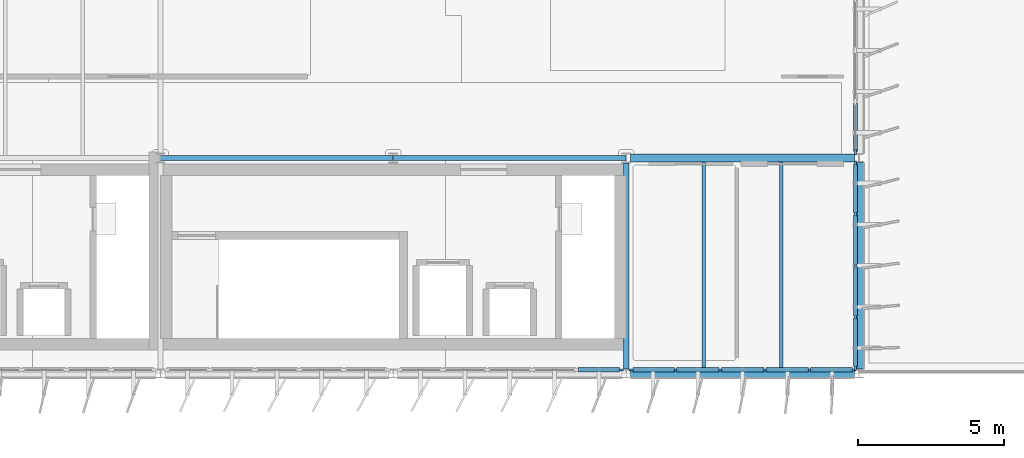
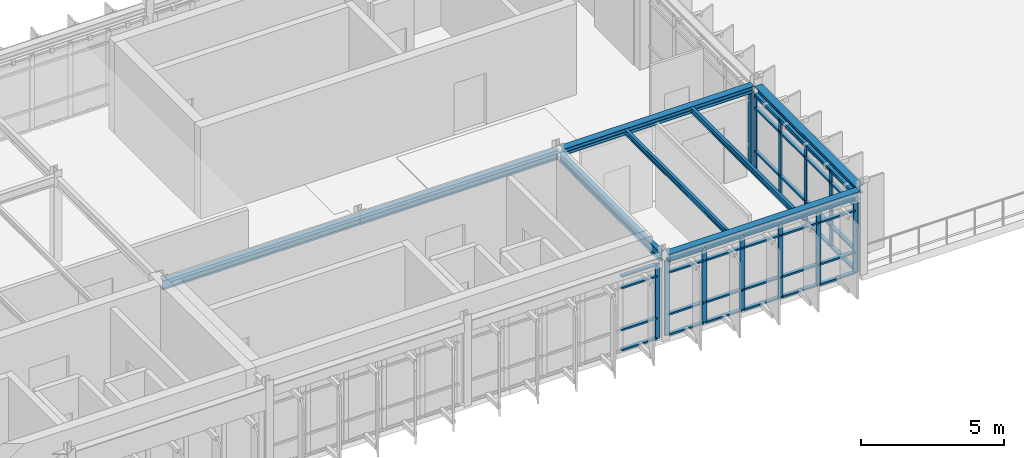
# One storey, part 8 of 20: 54 members, 8 beams, 4 elements without a shape of their own.
"""IFC4 building model written with IfcOpenShell, lengths in metres."""

from ifc_helpers import new_model, si_unit, direction, frame, origin, origin_2d, place, context, subcontext, project, spatial, rectangle, i_section, extrude, material, layer, layer_set, material_profile, profile_set, type_object, element, aggregate, save


model = new_model("IFC4")

# Units and contexts
model_context = context("Model", 3, precision=1e-05, world=origin(), true_north=direction((0.0, 1.0)))
body_context = subcontext(model_context, "Body", "Model", "MODEL_VIEW")
ifc_project = project(units=[si_unit("LENGTHUNIT", "METRE"), si_unit("AREAUNIT", "SQUARE_METRE"), si_unit("VOLUMEUNIT", "CUBIC_METRE"), si_unit("PLANEANGLEUNIT", "RADIAN"), si_unit("MASSUNIT", "GRAM", prefix="KILO")], contexts=[model_context])

# Site, building, storey
site_placement = place(None, origin())
site = spatial("IfcSite", under=ifc_project, at=site_placement, CompositionType="ELEMENT")
building_placement = place(site_placement, origin())
building = spatial("IfcBuilding", under=site, at=building_placement, Name="Valkorina Park Police Headquarters", CompositionType="ELEMENT")
storey_placement = place(building_placement, frame((0.0, 0.0, 31.10009765625)))
storey = spatial("IfcBuildingStorey", under=building, at=storey_placement, Name="L08", CompositionType="ELEMENT", Elevation=31.10009765625)

# Beams
ifc_material_1 = material(Name="Steel S355", Category="steel")
ifc_material_profile_1 = material_profile(ifc_material_1, i_section(OverallWidth=0.280029296875, OverallDepth=0.27001953125, WebThickness=0.008056640625, FlangeThickness=0.012939453125, FilletRadius=0.02392578125, at=origin_2d()), Name="HEA 280")
ifc_profile_set_1 = profile_set([ifc_material_profile_1], Name="Steel S355")
beam_type_1 = type_object("IfcBeamType", Name="BM-S355-HEA280-LNT", PredefinedType="LINTEL", material=ifc_profile_set_1)
beam_1_placement = place(storey_placement, frame((48.949951171875, 44.39990234375, 3.48486328125), z_axis=(1.0, 0.0, 0.0), x_axis=(0.0, 1.0, 0.0)))
element("IfcBeam", 1, at=beam_1_placement, inside=storey, type_object=beam_type_1, Name="L08 Framing Beam 2806", PredefinedType="LINTEL", context=body_context, shape_type="SweptSolid", body=[
    extrude(i_section(OverallWidth=0.280029296875, OverallDepth=0.27001953125, WebThickness=0.008056640625, FlangeThickness=0.012939453125, FilletRadius=0.02392578125, at=origin_2d()), origin(), (0.0, 0.0, 1.0), 7.699951171875),
])
ifc_material_profile_2 = material_profile(ifc_material_1, i_section(OverallWidth=0.300048828125, OverallDepth=0.330078125, WebThickness=0.009521484375, FlangeThickness=0.0166015625, FilletRadius=0.027099609375, at=origin_2d()), Name="HEA 340")
ifc_profile_set_2 = profile_set([ifc_material_profile_2], Name="Steel S355")
beam_type_2 = type_object("IfcBeamType", Name="BM-S355-HEA340-SPN", PredefinedType="SPANDREL", material=ifc_profile_set_2)
beam_2_placement = place(storey_placement, frame((48.949951171875, 37.0, 3.454833984375), z_axis=(1.0, 0.0, 0.0), x_axis=(0.0, 1.0, 0.0)))
element("IfcBeam", 2, at=beam_2_placement, inside=storey, type_object=beam_type_2, Name="L08 Framing Beam 2799", PredefinedType="SPANDREL", context=body_context, shape_type="SweptSolid", body=[
    extrude(i_section(OverallWidth=0.300048828125, OverallDepth=0.330078125, WebThickness=0.009521484375, FlangeThickness=0.0166015625, FilletRadius=0.027099609375, at=origin_2d()), origin(), (0.0, 0.0, 1.0), 7.699951171875),
])
beam_3_placement = place(storey_placement, frame((56.800048828125, 37.14990234375, 3.454833984375), z_axis=(0.0, 1.0, 0.0), x_axis=(-1.0, 0.0, 0.0)))
element("IfcBeam", 3, at=beam_3_placement, inside=storey, type_object=beam_type_2, Name="L08 Framing Beam 2855", PredefinedType="SPANDREL", context=body_context, shape_type="SweptSolid", body=[
    extrude(i_section(OverallWidth=0.300048828125, OverallDepth=0.330078125, WebThickness=0.009521484375, FlangeThickness=0.0166015625, FilletRadius=0.027099609375, at=origin_2d()), origin(), (0.0, 0.0, 1.0), 7.10009765625),
])
ifc_material_profile_3 = material_profile(ifc_material_1, i_section(OverallWidth=0.1201171875, OverallDepth=0.239990234375, WebThickness=0.006103515625, FlangeThickness=0.009765625, FilletRadius=0.014892578125, at=origin_2d()), Name="IPE 240")
ifc_profile_set_3 = profile_set([ifc_material_profile_3], Name="Steel S355")
beam_type_3 = type_object("IfcBeamType", Name="BM-S355-IPE240-JST", PredefinedType="JOIST", material=ifc_profile_set_3)
for number, where, z_axis, x_axis, name in (
    (4, (51.466796875, 37.14990234375, 3.5), (0.0, 1.0, 0.0), (-1.0, 0.0, 0.0), "L08 Framing Beam 2853"),
    (5, (54.13330078125, 37.14990234375, 3.5), (0.0, 1.0, 0.0), (-1.0, 0.0, 0.0), "L08 Framing Beam 2854"),
):
    element("IfcBeam", number, at=place(storey_placement, frame(where, z_axis=z_axis, x_axis=x_axis)), inside=storey, type_object=beam_type_3, Name=name, PredefinedType="JOIST", context=body_context, shape_type="SweptSolid", body=[
        extrude(i_section(OverallWidth=0.1201171875, OverallDepth=0.239990234375, WebThickness=0.006103515625, FlangeThickness=0.009765625, FilletRadius=0.014892578125, at=origin_2d()), origin(), (0.0, 0.0, 1.0), 7.110107421875),
    ])
ifc_material_profile_4 = material_profile(ifc_material_1, i_section(OverallWidth=0.179931640625, OverallDepth=0.39990234375, WebThickness=0.008544921875, FlangeThickness=0.013427734375, FilletRadius=0.02099609375, at=origin_2d()), Name="IPE 400")
ifc_profile_set_4 = profile_set([ifc_material_profile_4], Name="Steel S355")
beam_type_4 = type_object("IfcBeamType", Name="BM-S355-IPE400-BM", PredefinedType="BEAM", material=ifc_profile_set_4)
for number, where, z_axis, x_axis, name in (
    (6, (32.8046875, 44.39990234375, 3.419921875), (1.0, 0.0, 0.0), (0.0, 1.0, 0.0), "L08 Framing Beam 2804"),
    (7, (40.8046875, 44.39990234375, 3.419921875), (1.0, 0.0, 0.0), (0.0, 1.0, 0.0), "L08 Framing Beam 2805"),
):
    element("IfcBeam", number, at=place(storey_placement, frame(where, z_axis=z_axis, x_axis=x_axis)), inside=storey, type_object=beam_type_4, Name=name, PredefinedType="BEAM", context=body_context, shape_type="SweptSolid", body=[
        extrude(i_section(OverallWidth=0.179931640625, OverallDepth=0.39990234375, WebThickness=0.008544921875, FlangeThickness=0.013427734375, FilletRadius=0.02099609375, at=origin_2d()), origin(), (0.0, 0.0, 1.0), 7.99072265625),
    ])
beam_4_placement = place(storey_placement, frame((48.800048828125, 37.14990234375, 3.419921875), z_axis=(0.0, 1.0, 0.0), x_axis=(-1.0, 0.0, 0.0)))
element("IfcBeam", 8, at=beam_4_placement, inside=storey, type_object=beam_type_4, Name="L08 Framing Beam 2852", PredefinedType="BEAM", context=body_context, shape_type="SweptSolid", body=[
    extrude(i_section(OverallWidth=0.179931640625, OverallDepth=0.39990234375, WebThickness=0.008544921875, FlangeThickness=0.013427734375, FilletRadius=0.02099609375, at=origin_2d()), origin(), (0.0, 0.0, 1.0), 7.085205078125),
])

# Curtain wall, members
ifc_material_2 = material(Name="Thermally broken aluminium AW-6060", Category="aluminium")
ifc_layer_1 = layer(ifc_material_2, 0.18994140625)
ifc_layer_set_1 = layer_set([ifc_layer_1], Name="Thermally broken aluminium AW-6060")
curtain_wall_type_1 = type_object("IfcCurtainWallType", Name="CW-V5-7680x3210", PredefinedType="NOTDEFINED", material=ifc_layer_set_1)
curtain_wall_1_placement = place(storey_placement, origin())
curtain_wall_1 = element("IfcCurtainWall", 9, at=curtain_wall_1_placement, inside=storey, type_object=curtain_wall_type_1, Name="L08 Unitised Curtain Wall 156", PredefinedType="NOTDEFINED")
ifc_material_profile_5 = material_profile(ifc_material_2, rectangle(XDim=0.070068359375, YDim=0.18994140625, at=origin_2d()), Name="CWM-02 70x190")
ifc_profile_set_5 = profile_set([ifc_material_profile_5], Name="Thermally broken aluminium AW-6060")
member_type_1 = type_object("IfcMemberType", Name="CWM-70x190", PredefinedType="MULLION", material=ifc_profile_set_5)
member_1_placement = place(storey_placement, frame((56.60498046875, 37.1201171875, 0.0), z_axis=(0.0, 0.0, 1.0), x_axis=(0.0, -1.0, 0.0)))
member_1 = element("IfcMember", 10, at=member_1_placement, type_object=member_type_1, Name="CW-V5-768-321 mullion 1", PredefinedType="MULLION", context=body_context, shape_type="SweptSolid", body=[
    extrude(rectangle(XDim=0.070068359375, YDim=0.18994140625, at=origin_2d()), origin(), (0.0, 0.0, 1.0), 3.2099609375),
])
member_2_placement = place(storey_placement, frame((55.10400390625, 37.1201171875, 0.0), z_axis=(0.0, 0.0, 1.0), x_axis=(0.0, -1.0, 0.0)))
member_2 = element("IfcMember", 11, at=member_2_placement, type_object=member_type_1, Name="CW-V5-768-321 mullion 2", PredefinedType="MULLION", context=body_context, shape_type="SweptSolid", body=[
    extrude(rectangle(XDim=0.070068359375, YDim=0.18994140625, at=origin_2d()), origin(), (0.0, 0.0, 1.0), 3.2099609375),
])
member_3_placement = place(storey_placement, frame((53.568115234375, 37.1201171875, 0.0), z_axis=(0.0, 0.0, 1.0), x_axis=(0.0, -1.0, 0.0)))
member_3 = element("IfcMember", 12, at=member_3_placement, type_object=member_type_1, Name="CW-V5-768-321 mullion 3", PredefinedType="MULLION", context=body_context, shape_type="SweptSolid", body=[
    extrude(rectangle(XDim=0.070068359375, YDim=0.18994140625, at=origin_2d()), origin(), (0.0, 0.0, 1.0), 3.2099609375),
])
member_4_placement = place(storey_placement, frame((52.031982421875, 37.1201171875, 0.0), z_axis=(0.0, 0.0, 1.0), x_axis=(0.0, -1.0, 0.0)))
member_4 = element("IfcMember", 13, at=member_4_placement, type_object=member_type_1, Name="CW-V5-768-321 mullion 4", PredefinedType="MULLION", context=body_context, shape_type="SweptSolid", body=[
    extrude(rectangle(XDim=0.070068359375, YDim=0.18994140625, at=origin_2d()), origin(), (0.0, 0.0, 1.0), 3.2099609375),
])
member_5_placement = place(storey_placement, frame((50.49609375, 37.1201171875, 0.0), z_axis=(0.0, 0.0, 1.0), x_axis=(0.0, -1.0, 0.0)))
member_5 = element("IfcMember", 14, at=member_5_placement, type_object=member_type_1, Name="CW-V5-768-321 mullion 5", PredefinedType="MULLION", context=body_context, shape_type="SweptSolid", body=[
    extrude(rectangle(XDim=0.070068359375, YDim=0.18994140625, at=origin_2d()), origin(), (0.0, 0.0, 1.0), 3.2099609375),
])
member_6_placement = place(storey_placement, frame((48.9951171875, 37.1201171875, 0.0), z_axis=(0.0, 0.0, 1.0), x_axis=(0.0, -1.0, 0.0)))
member_6 = element("IfcMember", 15, at=member_6_placement, type_object=member_type_1, Name="CW-V5-768-321 mullion 6", PredefinedType="MULLION", context=body_context, shape_type="SweptSolid", body=[
    extrude(rectangle(XDim=0.070068359375, YDim=0.18994140625, at=origin_2d()), origin(), (0.0, 0.0, 1.0), 3.2099609375),
])

# Curtain wall, member
curtain_wall_2_placement = place(storey_placement, origin())
curtain_wall_2 = element("IfcCurtainWall", 16, at=curtain_wall_2_placement, inside=storey, type_object=curtain_wall_type_1, Name="L08 Unitised Curtain Wall 157", PredefinedType="NOTDEFINED")
member_7_placement = place(storey_placement, frame((48.60498046875, 37.1201171875, 0.0), z_axis=(0.0, 0.0, 1.0), x_axis=(0.0, -1.0, 0.0)))
member_7 = element("IfcMember", 17, at=member_7_placement, type_object=member_type_1, Name="CW-V5-768-321 mullion 1", PredefinedType="MULLION", context=body_context, shape_type="SweptSolid", body=[
    extrude(rectangle(XDim=0.070068359375, YDim=0.18994140625, at=origin_2d()), origin(), (0.0, 0.0, 1.0), 3.2099609375),
])

ifc_layer_2 = layer(ifc_material_2, 0.18994140625)
ifc_layer_set_2 = layer_set([ifc_layer_2], Name="Thermally broken aluminium AW-6060")
curtain_wall_type_2 = type_object("IfcCurtainWallType", Name="CW-V5-7080x3280", PredefinedType="NOTDEFINED", material=ifc_layer_set_2)
curtain_wall_3_placement = place(storey_placement, origin())
curtain_wall_3 = element("IfcCurtainWall", 18, at=curtain_wall_3_placement, inside=storey, type_object=curtain_wall_type_2, Name="L08 Unitised Curtain Wall 173", PredefinedType="NOTDEFINED")
member_8_placement = place(storey_placement, frame((56.679931640625, 44.594970703125, 0.0), z_axis=(0.0, 0.0, 1.0), x_axis=(1.0, 0.0, 0.0)))
member_8 = element("IfcMember", 19, at=member_8_placement, type_object=member_type_1, Name="CW-V5-708-328 mullion 5", PredefinedType="MULLION", context=body_context, shape_type="SweptSolid", body=[
    extrude(rectangle(XDim=0.070068359375, YDim=0.18994140625, at=origin_2d()), origin(), (0.0, 0.0, 1.0), 3.27978515625),
])

# Curtain wall, members
curtain_wall_4_placement = place(storey_placement, origin())
curtain_wall_4 = element("IfcCurtainWall", 20, at=curtain_wall_4_placement, inside=storey, type_object=curtain_wall_type_2, Name="L08 Unitised Curtain Wall 174", PredefinedType="NOTDEFINED")
member_9_placement = place(storey_placement, frame((56.679931640625, 44.205078125, 0.0), z_axis=(0.0, 0.0, 1.0), x_axis=(1.0, 0.0, 0.0)))
member_9 = element("IfcMember", 21, at=member_9_placement, type_object=member_type_1, Name="CW-V5-708-328 mullion 1", PredefinedType="MULLION", context=body_context, shape_type="SweptSolid", body=[
    extrude(rectangle(XDim=0.070068359375, YDim=0.18994140625, at=origin_2d()), origin(), (0.0, 0.0, 1.0), 3.27978515625),
])
member_10_placement = place(storey_placement, frame((56.679931640625, 42.469970703125, 0.0), z_axis=(0.0, 0.0, 1.0), x_axis=(1.0, 0.0, 0.0)))
member_10 = element("IfcMember", 22, at=member_10_placement, type_object=member_type_1, Name="CW-V5-708-328 mullion 2", PredefinedType="MULLION", context=body_context, shape_type="SweptSolid", body=[
    extrude(rectangle(XDim=0.070068359375, YDim=0.18994140625, at=origin_2d()), origin(), (0.0, 0.0, 1.0), 3.27978515625),
])
member_11_placement = place(storey_placement, frame((56.679931640625, 40.699951171875, 0.0), z_axis=(0.0, 0.0, 1.0), x_axis=(1.0, 0.0, 0.0)))
member_11 = element("IfcMember", 23, at=member_11_placement, type_object=member_type_1, Name="CW-V5-708-328 mullion 3", PredefinedType="MULLION", context=body_context, shape_type="SweptSolid", body=[
    extrude(rectangle(XDim=0.070068359375, YDim=0.18994140625, at=origin_2d()), origin(), (0.0, 0.0, 1.0), 3.27978515625),
])
member_12_placement = place(storey_placement, frame((56.679931640625, 38.929931640625, 0.0), z_axis=(0.0, 0.0, 1.0), x_axis=(1.0, 0.0, 0.0)))
member_12 = element("IfcMember", 24, at=member_12_placement, type_object=member_type_1, Name="CW-V5-708-328 mullion 4", PredefinedType="MULLION", context=body_context, shape_type="SweptSolid", body=[
    extrude(rectangle(XDim=0.070068359375, YDim=0.18994140625, at=origin_2d()), origin(), (0.0, 0.0, 1.0), 3.27978515625),
])
member_13_placement = place(storey_placement, frame((56.679931640625, 37.195068359375, 0.0), z_axis=(0.0, 0.0, 1.0), x_axis=(1.0, 0.0, 0.0)))
member_13 = element("IfcMember", 25, at=member_13_placement, type_object=member_type_1, Name="CW-V5-708-328 mullion 5", PredefinedType="MULLION", context=body_context, shape_type="SweptSolid", body=[
    extrude(rectangle(XDim=0.070068359375, YDim=0.18994140625, at=origin_2d()), origin(), (0.0, 0.0, 1.0), 3.27978515625),
])

# Member
ifc_material_profile_6 = material_profile(ifc_material_2, rectangle(XDim=0.14990234375, YDim=0.070068359375, at=origin_2d()), Name="CWT-02 150x70")
ifc_profile_set_6 = profile_set([ifc_material_profile_6], Name="Thermally broken aluminium AW-6060")
member_type_2 = type_object("IfcMemberType", Name="CWT-150x70", PredefinedType="USERDEFINED", material=ifc_profile_set_6)
member_14_placement = place(storey_placement, frame((56.570068359375, 37.1201171875, 0.034912109375), z_axis=(-1.0, 0.0, 0.0), x_axis=(0.0, -1.0, 0.0)))
member_14 = element("IfcMember", 26, at=member_14_placement, type_object=member_type_2, Name="CW-V5-768-321 transom 1.1", ObjectType="TRANSOM", PredefinedType="USERDEFINED", context=body_context, shape_type="SweptSolid", body=[
    extrude(rectangle(XDim=0.14990234375, YDim=0.070068359375, at=origin_2d()), origin(), (0.0, 0.0, 1.0), 1.43115234375),
])

member_15_placement = place(storey_placement, frame((56.570068359375, 37.1201171875, 0.89990234375), z_axis=(-1.0, 0.0, 0.0), x_axis=(0.0, -1.0, 0.0)))
member_15 = element("IfcMember", 27, at=member_15_placement, type_object=member_type_2, Name="CW-V5-768-321 transom 1.2", ObjectType="TRANSOM", PredefinedType="USERDEFINED", context=body_context, shape_type="SweptSolid", body=[
    extrude(rectangle(XDim=0.14990234375, YDim=0.070068359375, at=origin_2d()), origin(), (0.0, 0.0, 1.0), 1.43115234375),
])

member_16_placement = place(storey_placement, frame((56.570068359375, 37.1201171875, 2.68994140625), z_axis=(-1.0, 0.0, 0.0), x_axis=(0.0, -1.0, 0.0)))
member_16 = element("IfcMember", 28, at=member_16_placement, type_object=member_type_2, Name="CW-V5-768-321 transom 1.3", ObjectType="TRANSOM", PredefinedType="USERDEFINED", context=body_context, shape_type="SweptSolid", body=[
    extrude(rectangle(XDim=0.14990234375, YDim=0.070068359375, at=origin_2d()), origin(), (0.0, 0.0, 1.0), 1.43115234375),
])

member_17_placement = place(storey_placement, frame((56.570068359375, 37.1201171875, 3.1748046875), z_axis=(-1.0, 0.0, 0.0), x_axis=(0.0, -1.0, 0.0)))
member_17 = element("IfcMember", 29, at=member_17_placement, type_object=member_type_2, Name="CW-V5-768-321 transom 1.4", ObjectType="TRANSOM", PredefinedType="USERDEFINED", context=body_context, shape_type="SweptSolid", body=[
    extrude(rectangle(XDim=0.14990234375, YDim=0.070068359375, at=origin_2d()), origin(), (0.0, 0.0, 1.0), 1.43115234375),
])

member_18_placement = place(storey_placement, frame((55.069091796875, 37.1201171875, 0.034912109375), z_axis=(-1.0, 0.0, 0.0), x_axis=(0.0, -1.0, 0.0)))
member_18 = element("IfcMember", 30, at=member_18_placement, type_object=member_type_2, Name="CW-V5-768-321 transom 2.1", ObjectType="TRANSOM", PredefinedType="USERDEFINED", context=body_context, shape_type="SweptSolid", body=[
    extrude(rectangle(XDim=0.14990234375, YDim=0.070068359375, at=origin_2d()), origin(), (0.0, 0.0, 1.0), 1.466064453125),
])

member_19_placement = place(storey_placement, frame((55.069091796875, 37.1201171875, 0.89990234375), z_axis=(-1.0, 0.0, 0.0), x_axis=(0.0, -1.0, 0.0)))
member_19 = element("IfcMember", 31, at=member_19_placement, type_object=member_type_2, Name="CW-V5-768-321 transom 2.2", ObjectType="TRANSOM", PredefinedType="USERDEFINED", context=body_context, shape_type="SweptSolid", body=[
    extrude(rectangle(XDim=0.14990234375, YDim=0.070068359375, at=origin_2d()), origin(), (0.0, 0.0, 1.0), 1.466064453125),
])

member_20_placement = place(storey_placement, frame((55.069091796875, 37.1201171875, 2.68994140625), z_axis=(-1.0, 0.0, 0.0), x_axis=(0.0, -1.0, 0.0)))
member_20 = element("IfcMember", 32, at=member_20_placement, type_object=member_type_2, Name="CW-V5-768-321 transom 2.3", ObjectType="TRANSOM", PredefinedType="USERDEFINED", context=body_context, shape_type="SweptSolid", body=[
    extrude(rectangle(XDim=0.14990234375, YDim=0.070068359375, at=origin_2d()), origin(), (0.0, 0.0, 1.0), 1.466064453125),
])

member_21_placement = place(storey_placement, frame((55.069091796875, 37.1201171875, 3.1748046875), z_axis=(-1.0, 0.0, 0.0), x_axis=(0.0, -1.0, 0.0)))
member_21 = element("IfcMember", 33, at=member_21_placement, type_object=member_type_2, Name="CW-V5-768-321 transom 2.4", ObjectType="TRANSOM", PredefinedType="USERDEFINED", context=body_context, shape_type="SweptSolid", body=[
    extrude(rectangle(XDim=0.14990234375, YDim=0.070068359375, at=origin_2d()), origin(), (0.0, 0.0, 1.0), 1.466064453125),
])

member_22_placement = place(storey_placement, frame((53.532958984375, 37.1201171875, 0.034912109375), z_axis=(-1.0, 0.0, 0.0), x_axis=(0.0, -1.0, 0.0)))
member_22 = element("IfcMember", 34, at=member_22_placement, type_object=member_type_2, Name="CW-V5-768-321 transom 3.1", ObjectType="TRANSOM", PredefinedType="USERDEFINED", context=body_context, shape_type="SweptSolid", body=[
    extrude(rectangle(XDim=0.14990234375, YDim=0.070068359375, at=origin_2d()), origin(), (0.0, 0.0, 1.0), 1.466064453125),
])

member_23_placement = place(storey_placement, frame((53.532958984375, 37.1201171875, 0.89990234375), z_axis=(-1.0, 0.0, 0.0), x_axis=(0.0, -1.0, 0.0)))
member_23 = element("IfcMember", 35, at=member_23_placement, type_object=member_type_2, Name="CW-V5-768-321 transom 3.2", ObjectType="TRANSOM", PredefinedType="USERDEFINED", context=body_context, shape_type="SweptSolid", body=[
    extrude(rectangle(XDim=0.14990234375, YDim=0.070068359375, at=origin_2d()), origin(), (0.0, 0.0, 1.0), 1.466064453125),
])

member_24_placement = place(storey_placement, frame((53.532958984375, 37.1201171875, 2.68994140625), z_axis=(-1.0, 0.0, 0.0), x_axis=(0.0, -1.0, 0.0)))
member_24 = element("IfcMember", 36, at=member_24_placement, type_object=member_type_2, Name="CW-V5-768-321 transom 3.3", ObjectType="TRANSOM", PredefinedType="USERDEFINED", context=body_context, shape_type="SweptSolid", body=[
    extrude(rectangle(XDim=0.14990234375, YDim=0.070068359375, at=origin_2d()), origin(), (0.0, 0.0, 1.0), 1.466064453125),
])

member_25_placement = place(storey_placement, frame((53.532958984375, 37.1201171875, 3.1748046875), z_axis=(-1.0, 0.0, 0.0), x_axis=(0.0, -1.0, 0.0)))
member_25 = element("IfcMember", 37, at=member_25_placement, type_object=member_type_2, Name="CW-V5-768-321 transom 3.4", ObjectType="TRANSOM", PredefinedType="USERDEFINED", context=body_context, shape_type="SweptSolid", body=[
    extrude(rectangle(XDim=0.14990234375, YDim=0.070068359375, at=origin_2d()), origin(), (0.0, 0.0, 1.0), 1.466064453125),
])

member_26_placement = place(storey_placement, frame((51.9970703125, 37.1201171875, 0.034912109375), z_axis=(-1.0, 0.0, 0.0), x_axis=(0.0, -1.0, 0.0)))
member_26 = element("IfcMember", 38, at=member_26_placement, type_object=member_type_2, Name="CW-V5-768-321 transom 4.1", ObjectType="TRANSOM", PredefinedType="USERDEFINED", context=body_context, shape_type="SweptSolid", body=[
    extrude(rectangle(XDim=0.14990234375, YDim=0.070068359375, at=origin_2d()), origin(), (0.0, 0.0, 1.0), 1.466064453125),
])

member_27_placement = place(storey_placement, frame((51.9970703125, 37.1201171875, 0.89990234375), z_axis=(-1.0, 0.0, 0.0), x_axis=(0.0, -1.0, 0.0)))
member_27 = element("IfcMember", 39, at=member_27_placement, type_object=member_type_2, Name="CW-V5-768-321 transom 4.2", ObjectType="TRANSOM", PredefinedType="USERDEFINED", context=body_context, shape_type="SweptSolid", body=[
    extrude(rectangle(XDim=0.14990234375, YDim=0.070068359375, at=origin_2d()), origin(), (0.0, 0.0, 1.0), 1.466064453125),
])

member_28_placement = place(storey_placement, frame((51.9970703125, 37.1201171875, 2.68994140625), z_axis=(-1.0, 0.0, 0.0), x_axis=(0.0, -1.0, 0.0)))
member_28 = element("IfcMember", 40, at=member_28_placement, type_object=member_type_2, Name="CW-V5-768-321 transom 4.3", ObjectType="TRANSOM", PredefinedType="USERDEFINED", context=body_context, shape_type="SweptSolid", body=[
    extrude(rectangle(XDim=0.14990234375, YDim=0.070068359375, at=origin_2d()), origin(), (0.0, 0.0, 1.0), 1.466064453125),
])

member_29_placement = place(storey_placement, frame((51.9970703125, 37.1201171875, 3.1748046875), z_axis=(-1.0, 0.0, 0.0), x_axis=(0.0, -1.0, 0.0)))
member_29 = element("IfcMember", 41, at=member_29_placement, type_object=member_type_2, Name="CW-V5-768-321 transom 4.4", ObjectType="TRANSOM", PredefinedType="USERDEFINED", context=body_context, shape_type="SweptSolid", body=[
    extrude(rectangle(XDim=0.14990234375, YDim=0.070068359375, at=origin_2d()), origin(), (0.0, 0.0, 1.0), 1.466064453125),
])

member_30_placement = place(storey_placement, frame((50.4609375, 37.1201171875, 0.034912109375), z_axis=(-1.0, 0.0, 0.0), x_axis=(0.0, -1.0, 0.0)))
member_30 = element("IfcMember", 42, at=member_30_placement, type_object=member_type_2, Name="CW-V5-768-321 transom 5.1", ObjectType="TRANSOM", PredefinedType="USERDEFINED", context=body_context, shape_type="SweptSolid", body=[
    extrude(rectangle(XDim=0.14990234375, YDim=0.070068359375, at=origin_2d()), origin(), (0.0, 0.0, 1.0), 1.430908203125),
])

member_31_placement = place(storey_placement, frame((50.4609375, 37.1201171875, 0.89990234375), z_axis=(-1.0, 0.0, 0.0), x_axis=(0.0, -1.0, 0.0)))
member_31 = element("IfcMember", 43, at=member_31_placement, type_object=member_type_2, Name="CW-V5-768-321 transom 5.2", ObjectType="TRANSOM", PredefinedType="USERDEFINED", context=body_context, shape_type="SweptSolid", body=[
    extrude(rectangle(XDim=0.14990234375, YDim=0.070068359375, at=origin_2d()), origin(), (0.0, 0.0, 1.0), 1.430908203125),
])

member_32_placement = place(storey_placement, frame((50.4609375, 37.1201171875, 2.68994140625), z_axis=(-1.0, 0.0, 0.0), x_axis=(0.0, -1.0, 0.0)))
member_32 = element("IfcMember", 44, at=member_32_placement, type_object=member_type_2, Name="CW-V5-768-321 transom 5.3", ObjectType="TRANSOM", PredefinedType="USERDEFINED", context=body_context, shape_type="SweptSolid", body=[
    extrude(rectangle(XDim=0.14990234375, YDim=0.070068359375, at=origin_2d()), origin(), (0.0, 0.0, 1.0), 1.430908203125),
])

member_33_placement = place(storey_placement, frame((50.4609375, 37.1201171875, 3.1748046875), z_axis=(-1.0, 0.0, 0.0), x_axis=(0.0, -1.0, 0.0)))
member_33 = element("IfcMember", 45, at=member_33_placement, type_object=member_type_2, Name="CW-V5-768-321 transom 5.4", ObjectType="TRANSOM", PredefinedType="USERDEFINED", context=body_context, shape_type="SweptSolid", body=[
    extrude(rectangle(XDim=0.14990234375, YDim=0.070068359375, at=origin_2d()), origin(), (0.0, 0.0, 1.0), 1.430908203125),
])

aggregate(curtain_wall_1, [member_1, member_2, member_3, member_4, member_5, member_6, member_14, member_15, member_16, member_17, member_18, member_19, member_20, member_21, member_22, member_23, member_24, member_25, member_26, member_27, member_28, member_29, member_30, member_31, member_32, member_33])

member_34_placement = place(storey_placement, frame((48.570068359375, 37.1201171875, 0.034912109375), z_axis=(-1.0, 0.0, 0.0), x_axis=(0.0, -1.0, 0.0)))
member_34 = element("IfcMember", 46, at=member_34_placement, type_object=member_type_2, Name="CW-V5-768-321 transom 1.1", ObjectType="TRANSOM", PredefinedType="USERDEFINED", context=body_context, shape_type="SweptSolid", body=[
    extrude(rectangle(XDim=0.14990234375, YDim=0.070068359375, at=origin_2d()), origin(), (0.0, 0.0, 1.0), 1.43115234375),
])

member_35_placement = place(storey_placement, frame((48.570068359375, 37.1201171875, 0.89990234375), z_axis=(-1.0, 0.0, 0.0), x_axis=(0.0, -1.0, 0.0)))
member_35 = element("IfcMember", 47, at=member_35_placement, type_object=member_type_2, Name="CW-V5-768-321 transom 1.2", ObjectType="TRANSOM", PredefinedType="USERDEFINED", context=body_context, shape_type="SweptSolid", body=[
    extrude(rectangle(XDim=0.14990234375, YDim=0.070068359375, at=origin_2d()), origin(), (0.0, 0.0, 1.0), 1.43115234375),
])

member_36_placement = place(storey_placement, frame((48.570068359375, 37.1201171875, 2.68994140625), z_axis=(-1.0, 0.0, 0.0), x_axis=(0.0, -1.0, 0.0)))
member_36 = element("IfcMember", 48, at=member_36_placement, type_object=member_type_2, Name="CW-V5-768-321 transom 1.3", ObjectType="TRANSOM", PredefinedType="USERDEFINED", context=body_context, shape_type="SweptSolid", body=[
    extrude(rectangle(XDim=0.14990234375, YDim=0.070068359375, at=origin_2d()), origin(), (0.0, 0.0, 1.0), 1.43115234375),
])

member_37_placement = place(storey_placement, frame((48.570068359375, 37.1201171875, 3.1748046875), z_axis=(-1.0, 0.0, 0.0), x_axis=(0.0, -1.0, 0.0)))
member_37 = element("IfcMember", 49, at=member_37_placement, type_object=member_type_2, Name="CW-V5-768-321 transom 1.4", ObjectType="TRANSOM", PredefinedType="USERDEFINED", context=body_context, shape_type="SweptSolid", body=[
    extrude(rectangle(XDim=0.14990234375, YDim=0.070068359375, at=origin_2d()), origin(), (0.0, 0.0, 1.0), 1.43115234375),
])

aggregate(curtain_wall_2, [member_7, member_34, member_35, member_36, member_37])

member_38_placement = place(storey_placement, frame((56.679931640625, 46.294921875, 0.034912109375), z_axis=(0.0, -1.0, 0.0), x_axis=(1.0, 0.0, 0.0)))
member_38 = element("IfcMember", 50, at=member_38_placement, type_object=member_type_2, Name="CW-V5-708-328 transom 4.1", ObjectType="TRANSOM", PredefinedType="USERDEFINED", context=body_context, shape_type="SweptSolid", body=[
    extrude(rectangle(XDim=0.14990234375, YDim=0.070068359375, at=origin_2d()), origin(), (0.0, 0.0, 1.0), 1.6650390625),
])

aggregate(curtain_wall_3, [member_8, member_38])

member_39_placement = place(storey_placement, frame((56.679931640625, 44.169921875, 0.034912109375), z_axis=(0.0, -1.0, 0.0), x_axis=(1.0, 0.0, 0.0)))
member_39 = element("IfcMember", 51, at=member_39_placement, type_object=member_type_2, Name="CW-V5-708-328 transom 1.1", ObjectType="TRANSOM", PredefinedType="USERDEFINED", context=body_context, shape_type="SweptSolid", body=[
    extrude(rectangle(XDim=0.14990234375, YDim=0.070068359375, at=origin_2d()), origin(), (0.0, 0.0, 1.0), 1.6650390625),
])

member_40_placement = place(storey_placement, frame((56.679931640625, 44.169921875, 0.89990234375), z_axis=(0.0, -1.0, 0.0), x_axis=(1.0, 0.0, 0.0)))
member_40 = element("IfcMember", 52, at=member_40_placement, type_object=member_type_2, Name="CW-V5-708-328 transom 1.2", ObjectType="TRANSOM", PredefinedType="USERDEFINED", context=body_context, shape_type="SweptSolid", body=[
    extrude(rectangle(XDim=0.14990234375, YDim=0.070068359375, at=origin_2d()), origin(), (0.0, 0.0, 1.0), 1.6650390625),
])

member_41_placement = place(storey_placement, frame((56.679931640625, 44.169921875, 2.760009765625), z_axis=(0.0, -1.0, 0.0), x_axis=(1.0, 0.0, 0.0)))
member_41 = element("IfcMember", 53, at=member_41_placement, type_object=member_type_2, Name="CW-V5-708-328 transom 1.3", ObjectType="TRANSOM", PredefinedType="USERDEFINED", context=body_context, shape_type="SweptSolid", body=[
    extrude(rectangle(XDim=0.14990234375, YDim=0.070068359375, at=origin_2d()), origin(), (0.0, 0.0, 1.0), 1.6650390625),
])

member_42_placement = place(storey_placement, frame((56.679931640625, 44.169921875, 3.244873046875), z_axis=(0.0, -1.0, 0.0), x_axis=(1.0, 0.0, 0.0)))
member_42 = element("IfcMember", 54, at=member_42_placement, type_object=member_type_2, Name="CW-V5-708-328 transom 1.4", ObjectType="TRANSOM", PredefinedType="USERDEFINED", context=body_context, shape_type="SweptSolid", body=[
    extrude(rectangle(XDim=0.14990234375, YDim=0.070068359375, at=origin_2d()), origin(), (0.0, 0.0, 1.0), 1.6650390625),
])

member_43_placement = place(storey_placement, frame((56.679931640625, 42.43505859375, 0.034912109375), z_axis=(0.0, -1.0, 0.0), x_axis=(1.0, 0.0, 0.0)))
member_43 = element("IfcMember", 55, at=member_43_placement, type_object=member_type_2, Name="CW-V5-708-328 transom 2.1", ObjectType="TRANSOM", PredefinedType="USERDEFINED", context=body_context, shape_type="SweptSolid", body=[
    extrude(rectangle(XDim=0.14990234375, YDim=0.070068359375, at=origin_2d()), origin(), (0.0, 0.0, 1.0), 1.699951171875),
])

member_44_placement = place(storey_placement, frame((56.679931640625, 42.43505859375, 0.89990234375), z_axis=(0.0, -1.0, 0.0), x_axis=(1.0, 0.0, 0.0)))
member_44 = element("IfcMember", 56, at=member_44_placement, type_object=member_type_2, Name="CW-V5-708-328 transom 2.2", ObjectType="TRANSOM", PredefinedType="USERDEFINED", context=body_context, shape_type="SweptSolid", body=[
    extrude(rectangle(XDim=0.14990234375, YDim=0.070068359375, at=origin_2d()), origin(), (0.0, 0.0, 1.0), 1.699951171875),
])

member_45_placement = place(storey_placement, frame((56.679931640625, 42.43505859375, 2.760009765625), z_axis=(0.0, -1.0, 0.0), x_axis=(1.0, 0.0, 0.0)))
member_45 = element("IfcMember", 57, at=member_45_placement, type_object=member_type_2, Name="CW-V5-708-328 transom 2.3", ObjectType="TRANSOM", PredefinedType="USERDEFINED", context=body_context, shape_type="SweptSolid", body=[
    extrude(rectangle(XDim=0.14990234375, YDim=0.070068359375, at=origin_2d()), origin(), (0.0, 0.0, 1.0), 1.699951171875),
])

member_46_placement = place(storey_placement, frame((56.679931640625, 42.43505859375, 3.244873046875), z_axis=(0.0, -1.0, 0.0), x_axis=(1.0, 0.0, 0.0)))
member_46 = element("IfcMember", 58, at=member_46_placement, type_object=member_type_2, Name="CW-V5-708-328 transom 2.4", ObjectType="TRANSOM", PredefinedType="USERDEFINED", context=body_context, shape_type="SweptSolid", body=[
    extrude(rectangle(XDim=0.14990234375, YDim=0.070068359375, at=origin_2d()), origin(), (0.0, 0.0, 1.0), 1.699951171875),
])

member_47_placement = place(storey_placement, frame((56.679931640625, 40.6650390625, 0.034912109375), z_axis=(0.0, -1.0, 0.0), x_axis=(1.0, 0.0, 0.0)))
member_47 = element("IfcMember", 59, at=member_47_placement, type_object=member_type_2, Name="CW-V5-708-328 transom 3.1", ObjectType="TRANSOM", PredefinedType="USERDEFINED", context=body_context, shape_type="SweptSolid", body=[
    extrude(rectangle(XDim=0.14990234375, YDim=0.070068359375, at=origin_2d()), origin(), (0.0, 0.0, 1.0), 1.699951171875),
])

member_48_placement = place(storey_placement, frame((56.679931640625, 40.6650390625, 0.89990234375), z_axis=(0.0, -1.0, 0.0), x_axis=(1.0, 0.0, 0.0)))
member_48 = element("IfcMember", 60, at=member_48_placement, type_object=member_type_2, Name="CW-V5-708-328 transom 3.2", ObjectType="TRANSOM", PredefinedType="USERDEFINED", context=body_context, shape_type="SweptSolid", body=[
    extrude(rectangle(XDim=0.14990234375, YDim=0.070068359375, at=origin_2d()), origin(), (0.0, 0.0, 1.0), 1.699951171875),
])

member_49_placement = place(storey_placement, frame((56.679931640625, 40.6650390625, 2.760009765625), z_axis=(0.0, -1.0, 0.0), x_axis=(1.0, 0.0, 0.0)))
member_49 = element("IfcMember", 61, at=member_49_placement, type_object=member_type_2, Name="CW-V5-708-328 transom 3.3", ObjectType="TRANSOM", PredefinedType="USERDEFINED", context=body_context, shape_type="SweptSolid", body=[
    extrude(rectangle(XDim=0.14990234375, YDim=0.070068359375, at=origin_2d()), origin(), (0.0, 0.0, 1.0), 1.699951171875),
])

member_50_placement = place(storey_placement, frame((56.679931640625, 40.6650390625, 3.244873046875), z_axis=(0.0, -1.0, 0.0), x_axis=(1.0, 0.0, 0.0)))
member_50 = element("IfcMember", 62, at=member_50_placement, type_object=member_type_2, Name="CW-V5-708-328 transom 3.4", ObjectType="TRANSOM", PredefinedType="USERDEFINED", context=body_context, shape_type="SweptSolid", body=[
    extrude(rectangle(XDim=0.14990234375, YDim=0.070068359375, at=origin_2d()), origin(), (0.0, 0.0, 1.0), 1.699951171875),
])

member_51_placement = place(storey_placement, frame((56.679931640625, 38.89501953125, 0.034912109375), z_axis=(0.0, -1.0, 0.0), x_axis=(1.0, 0.0, 0.0)))
member_51 = element("IfcMember", 63, at=member_51_placement, type_object=member_type_2, Name="CW-V5-708-328 transom 4.1", ObjectType="TRANSOM", PredefinedType="USERDEFINED", context=body_context, shape_type="SweptSolid", body=[
    extrude(rectangle(XDim=0.14990234375, YDim=0.070068359375, at=origin_2d()), origin(), (0.0, 0.0, 1.0), 1.6650390625),
])

member_52_placement = place(storey_placement, frame((56.679931640625, 38.89501953125, 0.89990234375), z_axis=(0.0, -1.0, 0.0), x_axis=(1.0, 0.0, 0.0)))
member_52 = element("IfcMember", 64, at=member_52_placement, type_object=member_type_2, Name="CW-V5-708-328 transom 4.2", ObjectType="TRANSOM", PredefinedType="USERDEFINED", context=body_context, shape_type="SweptSolid", body=[
    extrude(rectangle(XDim=0.14990234375, YDim=0.070068359375, at=origin_2d()), origin(), (0.0, 0.0, 1.0), 1.6650390625),
])

member_53_placement = place(storey_placement, frame((56.679931640625, 38.89501953125, 2.760009765625), z_axis=(0.0, -1.0, 0.0), x_axis=(1.0, 0.0, 0.0)))
member_53 = element("IfcMember", 65, at=member_53_placement, type_object=member_type_2, Name="CW-V5-708-328 transom 4.3", ObjectType="TRANSOM", PredefinedType="USERDEFINED", context=body_context, shape_type="SweptSolid", body=[
    extrude(rectangle(XDim=0.14990234375, YDim=0.070068359375, at=origin_2d()), origin(), (0.0, 0.0, 1.0), 1.6650390625),
])

member_54_placement = place(storey_placement, frame((56.679931640625, 38.89501953125, 3.244873046875), z_axis=(0.0, -1.0, 0.0), x_axis=(1.0, 0.0, 0.0)))
member_54 = element("IfcMember", 66, at=member_54_placement, type_object=member_type_2, Name="CW-V5-708-328 transom 4.4", ObjectType="TRANSOM", PredefinedType="USERDEFINED", context=body_context, shape_type="SweptSolid", body=[
    extrude(rectangle(XDim=0.14990234375, YDim=0.070068359375, at=origin_2d()), origin(), (0.0, 0.0, 1.0), 1.6650390625),
])

aggregate(curtain_wall_4, [member_9, member_10, member_11, member_12, member_13, member_39, member_40, member_41, member_42, member_43, member_44, member_45, member_46, member_47, member_48, member_49, member_50, member_51, member_52, member_53, member_54])

save(model, "model.ifc")
